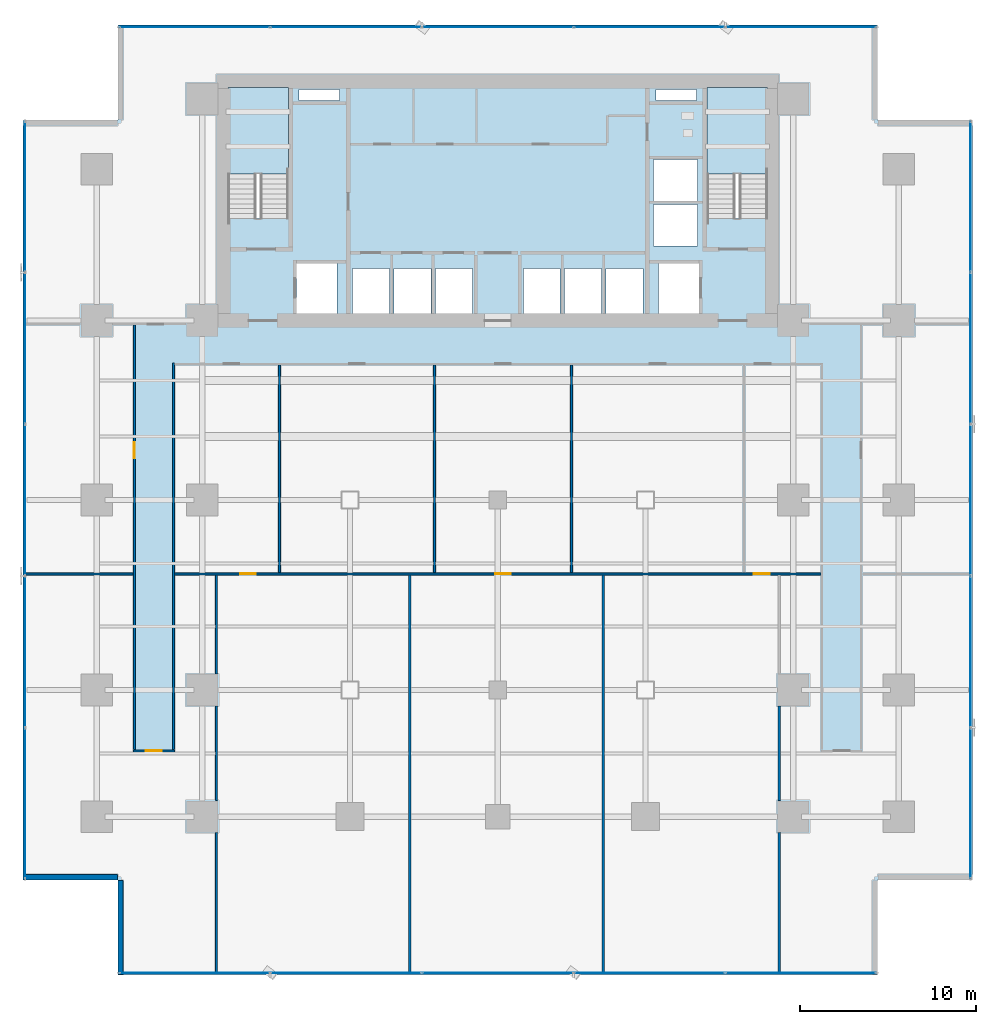
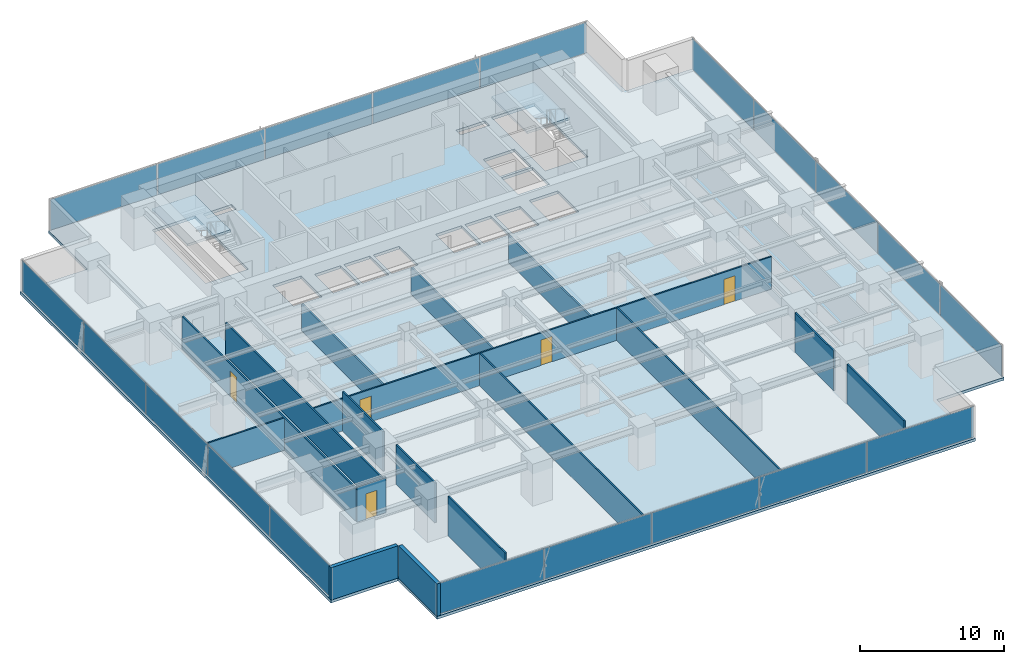
# One storey, part 24 of 33: 20 plates, 17 walls, 5 doors, 3 slabs, 5 openings, 6 elements without a shape of their own.
"""IFC4 building model written with IfcOpenShell, lengths in metres."""

from ifc_helpers import new_model, si_unit, direction, frame, frame_2d, origin, origin_2d, place, context, subcontext, project, spatial, polyline, rectangle, outline, extrude, source, transform, mapped, material, layer, layer_set, type_object, element, fill, aggregate, save


model = new_model("IFC4")

# Units and contexts
model_context = context("Model", 3, precision=1e-05, world=origin(), true_north=direction((0.0, 1.0)))
body_context = subcontext(model_context, "Body", "Model", "MODEL_VIEW")
ifc_project = project(units=[si_unit("LENGTHUNIT", "METRE"), si_unit("AREAUNIT", "SQUARE_METRE"), si_unit("VOLUMEUNIT", "CUBIC_METRE"), si_unit("PLANEANGLEUNIT", "RADIAN"), si_unit("MASSUNIT", "GRAM", prefix="KILO")], contexts=[model_context])

# Site, building, storey
site_placement = place(None, origin())
site = spatial("IfcSite", under=ifc_project, at=site_placement, CompositionType="ELEMENT")
building_placement = place(site_placement, origin())
building = spatial("IfcBuilding", under=site, at=building_placement, Name="Sumidabori Civic Tower", CompositionType="ELEMENT")
storey_placement = place(building_placement, frame((0.0, 0.0, 30.800048828125)))
storey = spatial("IfcBuildingStorey", under=building, at=storey_placement, Name="L07", CompositionType="ELEMENT", Elevation=30.800048828125)

# Stair, slab
ifc_material_1 = material(Name="Concrete C40/50", Category="concrete")
stair_type = type_object("IfcStairType", Name="ST-CORE-1600", PredefinedType="HALF_TURN_STAIR", material=ifc_material_1)
stair_1_placement = place(storey_placement, origin())
stair_1 = element("IfcStair", 1, at=stair_1_placement, inside=storey, type_object=stair_type, Name="L07 ST-1", PredefinedType="HALF_TURN_STAIR")
ifc_layer_1 = layer(ifc_material_1, 0.199951171875, Name="Concrete C40/50")
ifc_layer_set_1 = layer_set([ifc_layer_1], Name="Concrete C40/50")
slab_type_1 = type_object("IfcSlabType", Name="SL-LAND-200", PredefinedType="LANDING", material=ifc_layer_set_1)
slab_1_placement = place(storey_placement, frame((0.0, 0.0, 1.599853515625)))
slab_1 = element("IfcSlab", 2, at=slab_1_placement, type_object=slab_type_1, Name="ST-1 landing 1", PredefinedType="LANDING", context=body_context, shape_type="SweptSolid", body=[
    extrude(outline(polyline([(-11.89990234375, 18.52001953125), (-11.89990234375, 23.449951171875), (-15.340087890625, 23.449951171875), (-15.340087890625, 18.52001953125), (-11.89990234375, 18.52001953125)])), origin(), (0.0, 0.0, 1.0), 0.2001953125),
])
aggregate(stair_1, [slab_1])

stair_2_placement = place(storey_placement, origin())
stair_2 = element("IfcStair", 3, at=stair_2_placement, inside=storey, type_object=stair_type, Name="L07 ST-2", PredefinedType="HALF_TURN_STAIR")
slab_2_placement = place(storey_placement, frame((0.0, 0.0, 1.599853515625)))
slab_2 = element("IfcSlab", 4, at=slab_2_placement, type_object=slab_type_1, Name="ST-2 landing 1", PredefinedType="LANDING", context=body_context, shape_type="SweptSolid", body=[
    extrude(outline(polyline([(15.340087890625, 18.52001953125), (15.340087890625, 23.449951171875), (11.89990234375, 23.449951171875), (11.89990234375, 18.52001953125), (15.340087890625, 18.52001953125)])), origin(), (0.0, 0.0, 1.0), 0.2001953125),
])
aggregate(stair_2, [slab_2])

# Slab
ifc_layer_2 = layer(ifc_material_1, 0.239990234375, Name="Concrete C40/50")
ifc_layer_set_2 = layer_set([ifc_layer_2], Name="Concrete C40/50")
slab_type_2 = type_object("IfcSlabType", Name="SL-Z1-240", PredefinedType="FLOOR", material=ifc_layer_set_2)
slab_3_placement = place(storey_placement, frame((0.0, 0.0, -0.239990234375)))
element("IfcSlab", 5, at=slab_3_placement, inside=storey, type_object=slab_type_2, Name="Structural Slab L07", PredefinedType="FLOOR", context=body_context, shape_type="SweptSolid", body=[
    extrude(outline(polyline([(-21.60009765625, -27.0), (21.60009765625, -27.0), (21.60009765625, -21.60009765625), (27.0, -21.60009765625), (27.0, 21.60009765625), (21.60009765625, 21.60009765625), (21.60009765625, 27.0), (-21.60009765625, 27.0), (-21.60009765625, 21.60009765625), (-27.0, 21.60009765625), (-27.0, -21.60009765625), (-21.60009765625, -21.60009765625), (-21.60009765625, -27.0)]), holes=[polyline([(-11.89990234375, 16.0), (-11.89990234375, 23.449951171875), (-15.340087890625, 23.449951171875), (-15.340087890625, 16.0), (-11.89990234375, 16.0)]), polyline([(15.340087890625, 16.0), (15.340087890625, 23.449951171875), (11.89990234375, 23.449951171875), (11.89990234375, 16.0), (15.340087890625, 16.0)]), polyline([(-11.449951171875, 10.550048828125), (-9.14990234375, 10.550048828125), (-9.14990234375, 13.449951171875), (-11.449951171875, 13.449951171875), (-11.449951171875, 10.550048828125)]), polyline([(9.14990234375, 10.550048828125), (11.449951171875, 10.550048828125), (11.449951171875, 13.449951171875), (9.14990234375, 13.449951171875), (9.14990234375, 10.550048828125)]), polyline([(-8.25, 10.550048828125), (-6.14990234375, 10.550048828125), (-6.14990234375, 13.14990234375), (-8.25, 13.14990234375), (-8.25, 10.550048828125)]), polyline([(-5.89990234375, 10.550048828125), (-3.800048828125, 10.550048828125), (-3.800048828125, 13.14990234375), (-5.89990234375, 13.14990234375), (-5.89990234375, 10.550048828125)]), polyline([(-3.550048828125, 10.550048828125), (-1.449951171875, 10.550048828125), (-1.449951171875, 13.14990234375), (-3.550048828125, 13.14990234375), (-3.550048828125, 10.550048828125)]), polyline([(1.449951171875, 10.550048828125), (3.550048828125, 10.550048828125), (3.550048828125, 13.14990234375), (1.449951171875, 13.14990234375), (1.449951171875, 10.550048828125)]), polyline([(3.800048828125, 10.550048828125), (5.89990234375, 10.550048828125), (5.89990234375, 13.14990234375), (3.800048828125, 13.14990234375), (3.800048828125, 10.550048828125)]), polyline([(6.14990234375, 10.550048828125), (8.25, 10.550048828125), (8.25, 13.14990234375), (6.14990234375, 13.14990234375), (6.14990234375, 10.550048828125)]), polyline([(8.85009765625, 14.449951171875), (11.35009765625, 14.449951171875), (11.35009765625, 16.800048828125), (8.85009765625, 16.800048828125), (8.85009765625, 14.449951171875)]), polyline([(8.85009765625, 17.0), (11.35009765625, 17.0), (11.35009765625, 19.35009765625), (8.85009765625, 19.35009765625), (8.85009765625, 17.0)]), polyline([(-11.300048828125, 22.719970703125), (-9.0, 22.719970703125), (-9.0, 23.35009765625), (-11.300048828125, 23.35009765625), (-11.300048828125, 22.719970703125)]), polyline([(9.0, 22.719970703125), (11.300048828125, 22.719970703125), (11.300048828125, 23.35009765625), (9.0, 23.35009765625), (9.0, 22.719970703125)])]), origin(), (0.0, 0.0, 1.0), 0.239990234375),
])

# Curtain wall, plates
ifc_material_2 = material(Name="Anodised Bronze Aluminium AW-6063-T6", Category="aluminium")
ifc_layer_3 = layer(ifc_material_2, 0.179931640625, Name="Anodised Bronze Aluminium AW-6063-T6")
ifc_layer_set_3 = layer_set([ifc_layer_3], Name="Anodised Bronze Aluminium AW-6063-T6")
curtain_wall_type = type_object("IfcCurtainWallType", Name="CW-SYS-2", PredefinedType="NOTDEFINED", material=ifc_layer_set_3)
curtain_wall_1_placement = place(storey_placement, origin())
curtain_wall_1 = element("IfcCurtainWall", 6, at=curtain_wall_1_placement, inside=storey, type_object=curtain_wall_type, Name="Curtain Wall CW:L07:R01", PredefinedType="NOTDEFINED")
ifc_material_3 = material(Name="Low-E Solar-Control Vision Glazing", Category="glass")
ifc_layer_4 = layer(ifc_material_3, 0.028076171875, Name="Low-E Solar-Control Vision Glazing")
ifc_layer_set_4 = layer_set([ifc_layer_4], Name="Low-E Solar-Control Vision Glazing")
plate_type = type_object("IfcPlateType", Name="CW-PNL-28", PredefinedType="CURTAIN_PANEL", material=ifc_layer_set_4)
shared_shape_1 = source(origin(), body_context, "Body", "SweptSolid", [
    extrude(rectangle(XDim=8.52294921875, YDim=0.028076171875, at=origin_2d()), origin(), (0.0, 0.0, 1.0), 2.610107421875),
])
plate_1_placement = place(storey_placement, frame((-17.238525390625, -26.8798828125, 0.06494140625), z_axis=(0.0, 0.0, 1.0), x_axis=(1.0, 0.0, 0.0)))
plate_1 = element("IfcPlate", 7, at=plate_1_placement, type_object=plate_type, Name="CW-2 panel 1.1", PredefinedType="CURTAIN_PANEL", context=body_context, shape_type="MappedRepresentation", body=[
    mapped(shared_shape_1, transform((0.0, 0.0, 0.0), x_axis=(1.0, 0.0, 0.0), y_axis=(0.0, 1.0, 0.0), z_axis=(0.0, 0.0, 1.0), scale=1.0)),
])
plate_2_placement = place(storey_placement, frame((17.238525390625, -26.8798828125, 0.06494140625), z_axis=(0.0, 0.0, 1.0), x_axis=(1.0, 0.0, 0.0)))
plate_2 = element("IfcPlate", 8, at=plate_2_placement, type_object=plate_type, Name="CW-2 panel 5.1", PredefinedType="CURTAIN_PANEL", context=body_context, shape_type="MappedRepresentation", body=[
    mapped(shared_shape_1, transform((0.0, 0.0, 0.0), x_axis=(1.0, 0.0, 0.0), y_axis=(0.0, 1.0, 0.0), z_axis=(0.0, 0.0, 1.0), scale=1.0)),
])

curtain_wall_2_placement = place(storey_placement, origin())
curtain_wall_2 = element("IfcCurtainWall", 9, at=curtain_wall_2_placement, inside=storey, type_object=curtain_wall_type, Name="Curtain Wall CW:L07:R04", PredefinedType="NOTDEFINED")
plate_3_placement = place(storey_placement, frame((26.8798828125, -17.238525390625, 0.06494140625), z_axis=(0.0, 0.0, 1.0), x_axis=(0.0, 1.0, 0.0)))
plate_3 = element("IfcPlate", 10, at=plate_3_placement, type_object=plate_type, Name="CW-2 panel 1.1", PredefinedType="CURTAIN_PANEL", context=body_context, shape_type="MappedRepresentation", body=[
    mapped(shared_shape_1, transform((0.0, 0.0, 0.0), x_axis=(1.0, 0.0, 0.0), y_axis=(0.0, 1.0, 0.0), z_axis=(0.0, 0.0, 1.0), scale=1.0)),
])
plate_4_placement = place(storey_placement, frame((26.8798828125, 17.238525390625, 0.06494140625), z_axis=(0.0, 0.0, 1.0), x_axis=(0.0, 1.0, 0.0)))
plate_4 = element("IfcPlate", 11, at=plate_4_placement, type_object=plate_type, Name="CW-2 panel 5.1", PredefinedType="CURTAIN_PANEL", context=body_context, shape_type="MappedRepresentation", body=[
    mapped(shared_shape_1, transform((0.0, 0.0, 0.0), x_axis=(1.0, 0.0, 0.0), y_axis=(0.0, 1.0, 0.0), z_axis=(0.0, 0.0, 1.0), scale=1.0)),
])

curtain_wall_3_placement = place(storey_placement, origin())
curtain_wall_3 = element("IfcCurtainWall", 12, at=curtain_wall_3_placement, inside=storey, type_object=curtain_wall_type, Name="Curtain Wall CW:L07:R07", PredefinedType="NOTDEFINED")
plate_5_placement = place(storey_placement, frame((17.238525390625, 26.8798828125, 0.06494140625), z_axis=(0.0, 0.0, 1.0), x_axis=(-1.0, 0.0, 0.0)))
plate_5 = element("IfcPlate", 13, at=plate_5_placement, type_object=plate_type, Name="CW-2 panel 1.1", PredefinedType="CURTAIN_PANEL", context=body_context, shape_type="MappedRepresentation", body=[
    mapped(shared_shape_1, transform((0.0, 0.0, 0.0), x_axis=(1.0, 0.0, 0.0), y_axis=(0.0, 1.0, 0.0), z_axis=(0.0, 0.0, 1.0), scale=1.0)),
])
plate_6_placement = place(storey_placement, frame((-17.238525390625, 26.8798828125, 0.06494140625), z_axis=(0.0, 0.0, 1.0), x_axis=(-1.0, 0.0, 0.0)))
plate_6 = element("IfcPlate", 14, at=plate_6_placement, type_object=plate_type, Name="CW-2 panel 5.1", PredefinedType="CURTAIN_PANEL", context=body_context, shape_type="MappedRepresentation", body=[
    mapped(shared_shape_1, transform((0.0, 0.0, 0.0), x_axis=(1.0, 0.0, 0.0), y_axis=(0.0, 1.0, 0.0), z_axis=(0.0, 0.0, 1.0), scale=1.0)),
])

curtain_wall_4_placement = place(storey_placement, origin())
curtain_wall_4 = element("IfcCurtainWall", 15, at=curtain_wall_4_placement, inside=storey, type_object=curtain_wall_type, Name="Curtain Wall CW:L07:R10", PredefinedType="NOTDEFINED")
plate_7_placement = place(storey_placement, frame((-26.8798828125, 17.238525390625, 0.06494140625), z_axis=(0.0, 0.0, 1.0), x_axis=(0.0, -1.0, 0.0)))
plate_7 = element("IfcPlate", 16, at=plate_7_placement, type_object=plate_type, Name="CW-2 panel 1.1", PredefinedType="CURTAIN_PANEL", context=body_context, shape_type="MappedRepresentation", body=[
    mapped(shared_shape_1, transform((0.0, 0.0, 0.0), x_axis=(1.0, 0.0, 0.0), y_axis=(0.0, 1.0, 0.0), z_axis=(0.0, 0.0, 1.0), scale=1.0)),
])
plate_8_placement = place(storey_placement, frame((-26.8798828125, -17.238525390625, 0.06494140625), z_axis=(0.0, 0.0, 1.0), x_axis=(0.0, -1.0, 0.0)))
plate_8 = element("IfcPlate", 17, at=plate_8_placement, type_object=plate_type, Name="CW-2 panel 5.1", PredefinedType="CURTAIN_PANEL", context=body_context, shape_type="MappedRepresentation", body=[
    mapped(shared_shape_1, transform((0.0, 0.0, 0.0), x_axis=(1.0, 0.0, 0.0), y_axis=(0.0, 1.0, 0.0), z_axis=(0.0, 0.0, 1.0), scale=1.0)),
])

# Plate
shared_shape_2 = source(origin(), body_context, "Body", "SweptSolid", [
    extrude(rectangle(XDim=8.55810546875, YDim=0.028076171875, at=origin_2d()), origin(), (0.0, 0.0, 1.0), 2.610107421875),
])
plate_9_placement = place(storey_placement, frame((-8.6279296875, -26.8798828125, 0.06494140625), z_axis=(0.0, 0.0, 1.0), x_axis=(1.0, 0.0, 0.0)))
plate_9 = element("IfcPlate", 18, at=plate_9_placement, type_object=plate_type, Name="CW-2 panel 2.1", PredefinedType="CURTAIN_PANEL", context=body_context, shape_type="MappedRepresentation", body=[
    mapped(shared_shape_2, transform((0.0, 0.0, 0.0), x_axis=(1.0, 0.0, 0.0), y_axis=(0.0, 1.0, 0.0), z_axis=(0.0, 0.0, 1.0), scale=1.0)),
])

plate_10_placement = place(storey_placement, frame((0.0, -26.8798828125, 0.06494140625), z_axis=(0.0, 0.0, 1.0), x_axis=(1.0, 0.0, 0.0)))
plate_10 = element("IfcPlate", 19, at=plate_10_placement, type_object=plate_type, Name="CW-2 panel 3.1", PredefinedType="CURTAIN_PANEL", context=body_context, shape_type="MappedRepresentation", body=[
    mapped(shared_shape_2, transform((0.0, 0.0, 0.0), x_axis=(1.0, 0.0, 0.0), y_axis=(0.0, 1.0, 0.0), z_axis=(0.0, 0.0, 1.0), scale=1.0)),
])

plate_11_placement = place(storey_placement, frame((8.6279296875, -26.8798828125, 0.06494140625), z_axis=(0.0, 0.0, 1.0), x_axis=(1.0, 0.0, 0.0)))
plate_11 = element("IfcPlate", 20, at=plate_11_placement, type_object=plate_type, Name="CW-2 panel 4.1", PredefinedType="CURTAIN_PANEL", context=body_context, shape_type="MappedRepresentation", body=[
    mapped(shared_shape_2, transform((0.0, 0.0, 0.0), x_axis=(1.0, 0.0, 0.0), y_axis=(0.0, 1.0, 0.0), z_axis=(0.0, 0.0, 1.0), scale=1.0)),
])

aggregate(curtain_wall_1, [plate_1, plate_9, plate_10, plate_11, plate_2])

plate_12_placement = place(storey_placement, frame((26.8798828125, -8.6279296875, 0.06494140625), z_axis=(0.0, 0.0, 1.0), x_axis=(0.0, 1.0, 0.0)))
plate_12 = element("IfcPlate", 21, at=plate_12_placement, type_object=plate_type, Name="CW-2 panel 2.1", PredefinedType="CURTAIN_PANEL", context=body_context, shape_type="MappedRepresentation", body=[
    mapped(shared_shape_2, transform((0.0, 0.0, 0.0), x_axis=(1.0, 0.0, 0.0), y_axis=(0.0, 1.0, 0.0), z_axis=(0.0, 0.0, 1.0), scale=1.0)),
])

plate_13_placement = place(storey_placement, frame((26.8798828125, 0.0, 0.06494140625), z_axis=(0.0, 0.0, 1.0), x_axis=(0.0, 1.0, 0.0)))
plate_13 = element("IfcPlate", 22, at=plate_13_placement, type_object=plate_type, Name="CW-2 panel 3.1", PredefinedType="CURTAIN_PANEL", context=body_context, shape_type="MappedRepresentation", body=[
    mapped(shared_shape_2, transform((0.0, 0.0, 0.0), x_axis=(1.0, 0.0, 0.0), y_axis=(0.0, 1.0, 0.0), z_axis=(0.0, 0.0, 1.0), scale=1.0)),
])

plate_14_placement = place(storey_placement, frame((26.8798828125, 8.6279296875, 0.06494140625), z_axis=(0.0, 0.0, 1.0), x_axis=(0.0, 1.0, 0.0)))
plate_14 = element("IfcPlate", 23, at=plate_14_placement, type_object=plate_type, Name="CW-2 panel 4.1", PredefinedType="CURTAIN_PANEL", context=body_context, shape_type="MappedRepresentation", body=[
    mapped(shared_shape_2, transform((0.0, 0.0, 0.0), x_axis=(1.0, 0.0, 0.0), y_axis=(0.0, 1.0, 0.0), z_axis=(0.0, 0.0, 1.0), scale=1.0)),
])

aggregate(curtain_wall_2, [plate_3, plate_12, plate_13, plate_14, plate_4])

plate_15_placement = place(storey_placement, frame((8.6279296875, 26.8798828125, 0.06494140625), z_axis=(0.0, 0.0, 1.0), x_axis=(-1.0, 0.0, 0.0)))
plate_15 = element("IfcPlate", 24, at=plate_15_placement, type_object=plate_type, Name="CW-2 panel 2.1", PredefinedType="CURTAIN_PANEL", context=body_context, shape_type="MappedRepresentation", body=[
    mapped(shared_shape_2, transform((0.0, 0.0, 0.0), x_axis=(1.0, 0.0, 0.0), y_axis=(0.0, 1.0, 0.0), z_axis=(0.0, 0.0, 1.0), scale=1.0)),
])

plate_16_placement = place(storey_placement, frame((0.0, 26.8798828125, 0.06494140625), z_axis=(0.0, 0.0, 1.0), x_axis=(-1.0, 0.0, 0.0)))
plate_16 = element("IfcPlate", 25, at=plate_16_placement, type_object=plate_type, Name="CW-2 panel 3.1", PredefinedType="CURTAIN_PANEL", context=body_context, shape_type="MappedRepresentation", body=[
    mapped(shared_shape_2, transform((0.0, 0.0, 0.0), x_axis=(1.0, 0.0, 0.0), y_axis=(0.0, 1.0, 0.0), z_axis=(0.0, 0.0, 1.0), scale=1.0)),
])

plate_17_placement = place(storey_placement, frame((-8.6279296875, 26.8798828125, 0.06494140625), z_axis=(0.0, 0.0, 1.0), x_axis=(-1.0, 0.0, 0.0)))
plate_17 = element("IfcPlate", 26, at=plate_17_placement, type_object=plate_type, Name="CW-2 panel 4.1", PredefinedType="CURTAIN_PANEL", context=body_context, shape_type="MappedRepresentation", body=[
    mapped(shared_shape_2, transform((0.0, 0.0, 0.0), x_axis=(1.0, 0.0, 0.0), y_axis=(0.0, 1.0, 0.0), z_axis=(0.0, 0.0, 1.0), scale=1.0)),
])

aggregate(curtain_wall_3, [plate_5, plate_15, plate_16, plate_17, plate_6])

plate_18_placement = place(storey_placement, frame((-26.8798828125, 8.6279296875, 0.06494140625), z_axis=(0.0, 0.0, 1.0), x_axis=(0.0, -1.0, 0.0)))
plate_18 = element("IfcPlate", 27, at=plate_18_placement, type_object=plate_type, Name="CW-2 panel 2.1", PredefinedType="CURTAIN_PANEL", context=body_context, shape_type="MappedRepresentation", body=[
    mapped(shared_shape_2, transform((0.0, 0.0, 0.0), x_axis=(1.0, 0.0, 0.0), y_axis=(0.0, 1.0, 0.0), z_axis=(0.0, 0.0, 1.0), scale=1.0)),
])

plate_19_placement = place(storey_placement, frame((-26.8798828125, 0.0, 0.06494140625), z_axis=(0.0, 0.0, 1.0), x_axis=(0.0, -1.0, 0.0)))
plate_19 = element("IfcPlate", 28, at=plate_19_placement, type_object=plate_type, Name="CW-2 panel 3.1", PredefinedType="CURTAIN_PANEL", context=body_context, shape_type="MappedRepresentation", body=[
    mapped(shared_shape_2, transform((0.0, 0.0, 0.0), x_axis=(1.0, 0.0, 0.0), y_axis=(0.0, 1.0, 0.0), z_axis=(0.0, 0.0, 1.0), scale=1.0)),
])

plate_20_placement = place(storey_placement, frame((-26.8798828125, -8.6279296875, 0.06494140625), z_axis=(0.0, 0.0, 1.0), x_axis=(0.0, -1.0, 0.0)))
plate_20 = element("IfcPlate", 29, at=plate_20_placement, type_object=plate_type, Name="CW-2 panel 4.1", PredefinedType="CURTAIN_PANEL", context=body_context, shape_type="MappedRepresentation", body=[
    mapped(shared_shape_2, transform((0.0, 0.0, 0.0), x_axis=(1.0, 0.0, 0.0), y_axis=(0.0, 1.0, 0.0), z_axis=(0.0, 0.0, 1.0), scale=1.0)),
])

aggregate(curtain_wall_4, [plate_7, plate_18, plate_19, plate_20, plate_8])

# Walls
ifc_material_4 = material(Name="Precast concrete C40/50", Category="concrete")
ifc_layer_5 = layer(ifc_material_4, 0.300048828125, Name="Precast concrete C40/50")
ifc_layer_set_5 = layer_set([ifc_layer_5], Name="Precast concrete C40/50")
wall_type_1 = type_object("IfcWallType", Name="WL-EXT-POD300", PredefinedType="STANDARD", material=ifc_layer_set_5)
shared_shape_3 = source(origin(), body_context, "Body", "SweptSolid", [
    extrude(rectangle(XDim=5.35986328125, YDim=0.300048828125, at=frame_2d((2.679931640625, 0.0))), origin(), (0.0, 0.0, 1.0), 2.739990234375),
])
for number, where, z_axis, x_axis, name in (
    (30, (-26.97998046875, -21.449951171875, 0.0), (0.0, 0.0, 1.0), (1.0, 0.0, 0.0), "Notched Corner Spandrel Band L07-11"),
    (31, (-21.449951171875, -21.6201171875, 0.0), (0.0, 0.0, 1.0), (0.0, -1.0, 0.0), "Notched Corner Spandrel Band L07-12"),
):
    element("IfcWall", number, at=place(storey_placement, frame(where, z_axis=z_axis, x_axis=x_axis)), inside=storey, type_object=wall_type_1, Name=name, PredefinedType="STANDARD", context=body_context, shape_type="MappedRepresentation", body=[
        mapped(shared_shape_3, transform((0.0, 0.0, 0.0), x_axis=(1.0, 0.0, 0.0), y_axis=(0.0, 1.0, 0.0), z_axis=(0.0, 0.0, 1.0), scale=1.0)),
    ])

# Wall, opening, door
ifc_material_5 = material(Name="Gypsum Plasterboard Acoustic Partition")
ifc_layer_6 = layer(ifc_material_5, 0.1201171875, Name="Gypsum Plasterboard Acoustic Partition")
ifc_layer_set_6 = layer_set([ifc_layer_6], Name="Gypsum Plasterboard Acoustic Partition")
wall_type_2 = type_object("IfcWallType", Name="WL-PART-120", PredefinedType="PARTITIONING", material=ifc_layer_set_6)
shared_shape_4 = source(origin(), body_context, "Body", "SweptSolid", [
    extrude(rectangle(XDim=24.130126953125, YDim=0.1201171875, at=frame_2d((12.06494140625, 0.0))), origin(), (0.0, 0.0, 1.0), 2.744873046875),
])
wall_1_placement = place(storey_placement, frame((-20.659912109375, -14.195068359375, 0.0), z_axis=(0.0, 0.0, 1.0), x_axis=(0.0, 1.0, 0.0)))
wall_1 = element("IfcWall", 32, at=wall_1_placement, inside=storey, type_object=wall_type_2, Name="Interior Partition WL:L07:CORR-VW-OUT", PredefinedType="PARTITIONING", context=body_context, shape_type="MappedRepresentation", body=[
    mapped(shared_shape_4, transform((0.0, 0.0, 0.0), x_axis=(1.0, 0.0, 0.0), y_axis=(0.0, 1.0, 0.0), z_axis=(0.0, 0.0, 1.0), scale=1.0)),
])
opening_1_placement = place(wall_1_placement, frame((16.58251953125, 0.0, 0.0)))
opening_1 = element("IfcOpeningElement", 33, at=opening_1_placement, cuts=wall_1, Name="Opening DR-1", PredefinedType="OPENING", context=body_context, shape_type="SweptSolid", body=[
    extrude(rectangle(XDim=0.89990234375, YDim=2.14990234375, at=frame_2d((0.449951171875, 1.074951171875))), frame((0.0, 0.072021484375, 0.0), z_axis=(0.0, -1.0, 0.0), x_axis=(1.0, 0.0, 0.0)), (0.0, 0.0, 1.0), 0.14404296875),
])
ifc_material_6 = material(Name="Japanese Hinoki Timber", Category="wood")
door_type = type_object("IfcDoorType", Name="DR-INT-900", OperationType="NOTDEFINED", PredefinedType="DOOR", material=ifc_material_6)
shared_shape_5 = source(origin(), body_context, "Body", "SweptSolid", [
    extrude(rectangle(XDim=0.89990234375, YDim=2.14990234375, at=frame_2d((0.449951171875, 1.074951171875))), frame((0.0, 0.02490234375, 0.0), z_axis=(0.0, -1.0, 0.0), x_axis=(1.0, 0.0, 0.0)), (0.0, 0.0, 1.0), 0.050048828125),
])
door_1_placement = place(opening_1_placement, origin())
door_1 = element("IfcDoor", 34, at=door_1_placement, inside=storey, type_object=door_type, Name="Door DR:L07:D02", OperationType="SINGLE_SWING_RIGHT", OverallHeight=2.14990234375, OverallWidth=0.89990234375, PredefinedType="DOOR", context=body_context, shape_type="MappedRepresentation", body=[
    mapped(shared_shape_5, transform((0.0, 0.0, 0.0), x_axis=(1.0, 0.0, 0.0), y_axis=(0.0, 1.0, 0.0), z_axis=(0.0, 0.0, 1.0), scale=1.0)),
])
fill(opening_1, door_1)

# Walls
shared_shape_6 = source(origin(), body_context, "Body", "SweptSolid", [
    extrude(rectangle(XDim=21.9951171875, YDim=0.1201171875, at=frame_2d((10.99755859375, 0.0))), origin(), (0.0, 0.0, 1.0), 2.744873046875),
])
wall_2_placement = place(storey_placement, frame((-18.43994140625, -14.195068359375, 0.0), z_axis=(0.0, 0.0, 1.0), x_axis=(0.0, 1.0, 0.0)))
element("IfcWall", 35, at=wall_2_placement, inside=storey, type_object=wall_type_2, Name="Interior Partition WL:L07:CORR-VW-IN", PredefinedType="PARTITIONING", context=body_context, shape_type="MappedRepresentation", body=[
    mapped(shared_shape_6, transform((0.0, 0.0, 0.0), x_axis=(1.0, 0.0, 0.0), y_axis=(0.0, 1.0, 0.0), z_axis=(0.0, 0.0, 1.0), scale=1.0)),
])
shared_shape_7 = source(origin(), body_context, "Body", "SweptSolid", [
    extrude(rectangle(XDim=6.125, YDim=0.1201171875, at=frame_2d((3.0625, 0.0))), origin(), (0.0, 0.0, 1.0), 2.744873046875),
])
wall_3_placement = place(storey_placement, frame((-26.85009765625, -4.199951171875, 0.0), z_axis=(0.0, 0.0, 1.0), x_axis=(1.0, 0.0, 0.0)))
element("IfcWall", 36, at=wall_3_placement, inside=storey, type_object=wall_type_2, Name="Interior Partition WL:L07:BAND-Y-1", PredefinedType="PARTITIONING", context=body_context, shape_type="MappedRepresentation", body=[
    mapped(shared_shape_7, transform((0.0, 0.0, 0.0), x_axis=(1.0, 0.0, 0.0), y_axis=(0.0, 1.0, 0.0), z_axis=(0.0, 0.0, 1.0), scale=1.0)),
])

# Wall, openings, doors
shared_shape_8 = source(origin(), body_context, "Body", "SweptSolid", [
    extrude(rectangle(XDim=36.75, YDim=0.1201171875, at=frame_2d((18.375, 0.0))), origin(), (0.0, 0.0, 1.0), 2.744873046875),
])
wall_4_placement = place(storey_placement, frame((-18.375, -4.199951171875, 0.0), z_axis=(0.0, 0.0, 1.0), x_axis=(1.0, 0.0, 0.0)))
wall_4 = element("IfcWall", 37, at=wall_4_placement, inside=storey, type_object=wall_type_2, Name="Interior Partition WL:L07:BAND-Y-2", PredefinedType="PARTITIONING", context=body_context, shape_type="MappedRepresentation", body=[
    mapped(shared_shape_8, transform((0.0, 0.0, 0.0), x_axis=(1.0, 0.0, 0.0), y_axis=(0.0, 1.0, 0.0), z_axis=(0.0, 0.0, 1.0), scale=1.0)),
])
opening_2_placement = place(wall_4_placement, frame((3.72509765625, 0.0, 0.0)))
opening_2 = element("IfcOpeningElement", 38, at=opening_2_placement, cuts=wall_4, Name="Opening DR-1", PredefinedType="OPENING", context=body_context, shape_type="SweptSolid", body=[
    extrude(rectangle(XDim=0.89990234375, YDim=2.14990234375, at=frame_2d((0.449951171875, 1.074951171875))), frame((0.0, 0.072021484375, 0.0), z_axis=(0.0, -1.0, 0.0), x_axis=(1.0, 0.0, 0.0)), (0.0, 0.0, 1.0), 0.14404296875),
])
opening_3_placement = place(wall_4_placement, frame((18.22509765625, 0.0, 0.0)))
opening_3 = element("IfcOpeningElement", 39, at=opening_3_placement, cuts=wall_4, Name="Opening DR-1", PredefinedType="OPENING", context=body_context, shape_type="SweptSolid", body=[
    extrude(rectangle(XDim=0.89990234375, YDim=2.14990234375, at=frame_2d((0.449951171875, 1.074951171875))), frame((0.0, 0.072021484375, 0.0), z_axis=(0.0, -1.0, 0.0), x_axis=(1.0, 0.0, 0.0)), (0.0, 0.0, 1.0), 0.14404296875),
])
opening_4_placement = place(wall_4_placement, frame((32.925048828125, 0.0, 0.0)))
opening_4 = element("IfcOpeningElement", 40, at=opening_4_placement, cuts=wall_4, Name="Opening DR-1", PredefinedType="OPENING", context=body_context, shape_type="SweptSolid", body=[
    extrude(rectangle(XDim=0.89990234375, YDim=2.14990234375, at=frame_2d((0.449951171875, 1.074951171875))), frame((0.0, 0.072021484375, 0.0), z_axis=(0.0, -1.0, 0.0), x_axis=(1.0, 0.0, 0.0)), (0.0, 0.0, 1.0), 0.14404296875),
])
door_2_placement = place(opening_2_placement, origin())
door_2 = element("IfcDoor", 41, at=door_2_placement, inside=storey, type_object=door_type, Name="Door DR:L07:D11", OperationType="SINGLE_SWING_LEFT", OverallHeight=2.14990234375, OverallWidth=0.89990234375, PredefinedType="DOOR", context=body_context, shape_type="MappedRepresentation", body=[
    mapped(shared_shape_5, transform((0.0, 0.0, 0.0), x_axis=(1.0, 0.0, 0.0), y_axis=(0.0, 1.0, 0.0), z_axis=(0.0, 0.0, 1.0), scale=1.0)),
])
fill(opening_2, door_2)
door_3_placement = place(opening_3_placement, origin())
door_3 = element("IfcDoor", 42, at=door_3_placement, inside=storey, type_object=door_type, Name="Door DR:L07:D12", OperationType="SINGLE_SWING_RIGHT", OverallHeight=2.14990234375, OverallWidth=0.89990234375, PredefinedType="DOOR", context=body_context, shape_type="MappedRepresentation", body=[
    mapped(shared_shape_5, transform((0.0, 0.0, 0.0), x_axis=(1.0, 0.0, 0.0), y_axis=(0.0, 1.0, 0.0), z_axis=(0.0, 0.0, 1.0), scale=1.0)),
])
fill(opening_3, door_3)
door_4_placement = place(opening_4_placement, origin())
door_4 = element("IfcDoor", 43, at=door_4_placement, inside=storey, type_object=door_type, Name="Door DR:L07:D13", OperationType="SINGLE_SWING_LEFT", OverallHeight=2.14990234375, OverallWidth=0.89990234375, PredefinedType="DOOR", context=body_context, shape_type="MappedRepresentation", body=[
    mapped(shared_shape_5, transform((0.0, 0.0, 0.0), x_axis=(1.0, 0.0, 0.0), y_axis=(0.0, 1.0, 0.0), z_axis=(0.0, 0.0, 1.0), scale=1.0)),
])
fill(opening_4, door_4)

# Walls
shared_shape_9 = source(origin(), body_context, "Body", "SweptSolid", [
    extrude(rectangle(XDim=7.940185546875, YDim=0.1201171875, at=frame_2d((3.97021484375, 0.0))), origin(), (0.0, 0.0, 1.0), 3.35986328125),
])
for number, where, z_axis, x_axis, name in (
    (44, (-16.0, -26.85009765625, 0.0), (0.0, 0.0, 1.0), (0.0, 1.0, 0.0), "Interior Partition WL:L07:VX-S1-1"),
    (45, (16.0, -26.85009765625, 0.0), (0.0, 0.0, 1.0), (0.0, 1.0, 0.0), "Interior Partition WL:L07:VX-S4-1"),
):
    element("IfcWall", number, at=place(storey_placement, frame(where, z_axis=z_axis, x_axis=x_axis)), inside=storey, type_object=wall_type_2, Name=name, PredefinedType="PARTITIONING", context=body_context, shape_type="MappedRepresentation", body=[
        mapped(shared_shape_9, transform((0.0, 0.0, 0.0), x_axis=(1.0, 0.0, 0.0), y_axis=(0.0, 1.0, 0.0), z_axis=(0.0, 0.0, 1.0), scale=1.0)),
    ])
shared_shape_10 = source(origin(), body_context, "Body", "SweptSolid", [
    extrude(rectangle(XDim=5.380126953125, YDim=0.1201171875, at=frame_2d((2.68994140625, 0.0))), origin(), (0.0, 0.0, 1.0), 3.35986328125),
])
for number, where, z_axis, x_axis, name in (
    (46, (-16.0, -17.090087890625, 0.0), (0.0, 0.0, 1.0), (0.0, 1.0, 0.0), "Interior Partition WL:L07:VX-S1-2"),
    (47, (16.0, -17.090087890625, 0.0), (0.0, 0.0, 1.0), (0.0, 1.0, 0.0), "Interior Partition WL:L07:VX-S4-2"),
):
    element("IfcWall", number, at=place(storey_placement, frame(where, z_axis=z_axis, x_axis=x_axis)), inside=storey, type_object=wall_type_2, Name=name, PredefinedType="PARTITIONING", context=body_context, shape_type="MappedRepresentation", body=[
        mapped(shared_shape_10, transform((0.0, 0.0, 0.0), x_axis=(1.0, 0.0, 0.0), y_axis=(0.0, 1.0, 0.0), z_axis=(0.0, 0.0, 1.0), scale=1.0)),
    ])
shared_shape_11 = source(origin(), body_context, "Body", "SweptSolid", [
    extrude(rectangle(XDim=5.625, YDim=0.1201171875, at=frame_2d((2.8125, 0.0))), origin(), (0.0, 0.0, 1.0), 3.35986328125),
])
wall_5_placement = place(storey_placement, frame((-16.0, -9.889892578125, 0.0), z_axis=(0.0, 0.0, 1.0), x_axis=(0.0, 1.0, 0.0)))
element("IfcWall", 48, at=wall_5_placement, inside=storey, type_object=wall_type_2, Name="Interior Partition WL:L07:VX-S1-3", PredefinedType="PARTITIONING", context=body_context, shape_type="MappedRepresentation", body=[
    mapped(shared_shape_11, transform((0.0, 0.0, 0.0), x_axis=(1.0, 0.0, 0.0), y_axis=(0.0, 1.0, 0.0), z_axis=(0.0, 0.0, 1.0), scale=1.0)),
])
shared_shape_12 = source(origin(), body_context, "Body", "SweptSolid", [
    extrude(rectangle(XDim=22.585205078125, YDim=0.1201171875, at=frame_2d((11.29248046875, 0.0))), origin(), (0.0, 0.0, 1.0), 2.744873046875),
])
for number, where, z_axis, x_axis, name in (
    (49, (-5.0, -26.85009765625, 0.0), (0.0, 0.0, 1.0), (0.0, 1.0, 0.0), "Interior Partition WL:L07:VX-S2"),
    (50, (6.0, -26.85009765625, 0.0), (0.0, 0.0, 1.0), (0.0, 1.0, 0.0), "Interior Partition WL:L07:VX-S3"),
):
    element("IfcWall", number, at=place(storey_placement, frame(where, z_axis=z_axis, x_axis=x_axis)), inside=storey, type_object=wall_type_2, Name=name, PredefinedType="PARTITIONING", context=body_context, shape_type="MappedRepresentation", body=[
        mapped(shared_shape_12, transform((0.0, 0.0, 0.0), x_axis=(1.0, 0.0, 0.0), y_axis=(0.0, 1.0, 0.0), z_axis=(0.0, 0.0, 1.0), scale=1.0)),
    ])
shared_shape_13 = source(origin(), body_context, "Body", "SweptSolid", [
    extrude(rectangle(XDim=11.81005859375, YDim=0.1201171875, at=frame_2d((5.905029296875, 0.0))), origin(), (0.0, 0.0, 1.0), 2.301025390625),
])
for number, where, z_axis, x_axis, name in (
    (51, (-12.39990234375, -4.135009765625, 0.0), (0.0, 0.0, 1.0), (0.0, 1.0, 0.0), "Interior Partition WL:L07:VX-N2"),
    (52, (-3.60009765625, -4.135009765625, 0.0), (0.0, 0.0, 1.0), (0.0, 1.0, 0.0), "Interior Partition WL:L07:VX-N3"),
    (53, (4.199951171875, -4.135009765625, 0.0), (0.0, 0.0, 1.0), (0.0, 1.0, 0.0), "Interior Partition WL:L07:VX-N4"),
):
    element("IfcWall", number, at=place(storey_placement, frame(where, z_axis=z_axis, x_axis=x_axis)), inside=storey, type_object=wall_type_2, Name=name, PredefinedType="PARTITIONING", context=body_context, shape_type="MappedRepresentation", body=[
        mapped(shared_shape_13, transform((0.0, 0.0, 0.0), x_axis=(1.0, 0.0, 0.0), y_axis=(0.0, 1.0, 0.0), z_axis=(0.0, 0.0, 1.0), scale=1.0)),
    ])

# Wall, opening, door
shared_shape_14 = source(origin(), body_context, "Body", "SweptSolid", [
    extrude(rectangle(XDim=2.340087890625, YDim=0.1201171875, at=frame_2d((1.169921875, 0.0))), origin(), (0.0, 0.0, 1.0), 2.98486328125),
])
wall_6_placement = place(storey_placement, frame((-20.719970703125, -14.260009765625, 0.0), z_axis=(0.0, 0.0, 1.0), x_axis=(1.0, 0.0, 0.0)))
wall_6 = element("IfcWall", 54, at=wall_6_placement, inside=storey, type_object=wall_type_2, Name="Interior Partition WL:L07:CORR-CAP-W", PredefinedType="PARTITIONING", context=body_context, shape_type="MappedRepresentation", body=[
    mapped(shared_shape_14, transform((0.0, 0.0, 0.0), x_axis=(1.0, 0.0, 0.0), y_axis=(0.0, 1.0, 0.0), z_axis=(0.0, 0.0, 1.0), scale=1.0)),
])
opening_5_placement = place(wall_6_placement, frame((0.719970703125, 0.0, 0.0)))
opening_5 = element("IfcOpeningElement", 55, at=opening_5_placement, cuts=wall_6, Name="Opening DR-1", PredefinedType="OPENING", context=body_context, shape_type="SweptSolid", body=[
    extrude(rectangle(XDim=0.89990234375, YDim=2.14990234375, at=frame_2d((0.449951171875, 1.074951171875))), frame((0.0, 0.072021484375, 0.0), z_axis=(0.0, -1.0, 0.0), x_axis=(1.0, 0.0, 0.0)), (0.0, 0.0, 1.0), 0.14404296875),
])
door_5_placement = place(opening_5_placement, origin())
door_5 = element("IfcDoor", 56, at=door_5_placement, inside=storey, type_object=door_type, Name="Door DR:L07:D09", OperationType="SINGLE_SWING_LEFT", OverallHeight=2.14990234375, OverallWidth=0.89990234375, PredefinedType="DOOR", context=body_context, shape_type="MappedRepresentation", body=[
    mapped(shared_shape_5, transform((0.0, 0.0, 0.0), x_axis=(1.0, 0.0, 0.0), y_axis=(0.0, 1.0, 0.0), z_axis=(0.0, 0.0, 1.0), scale=1.0)),
])
fill(opening_5, door_5)

save(model, "model.ifc")
